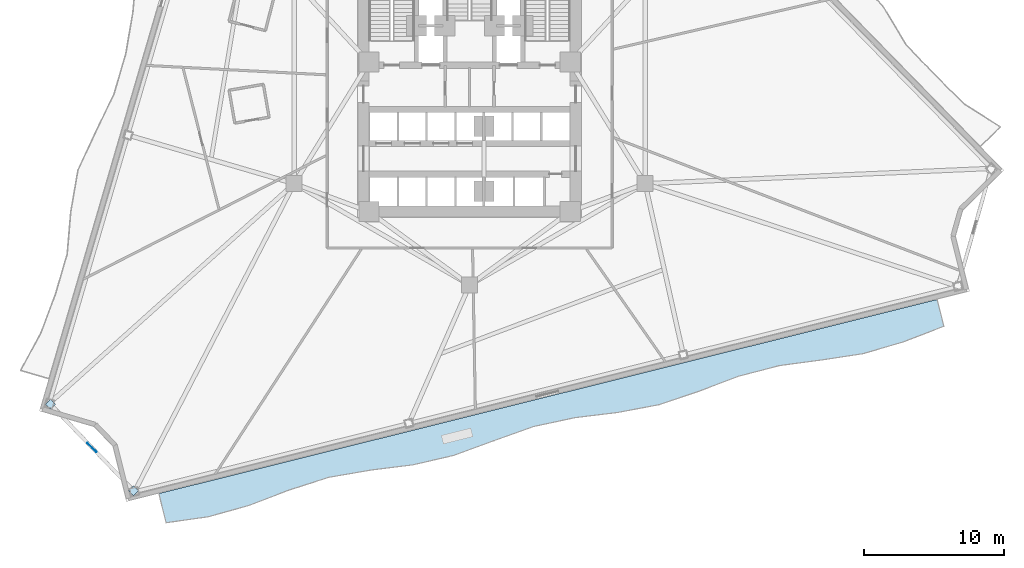
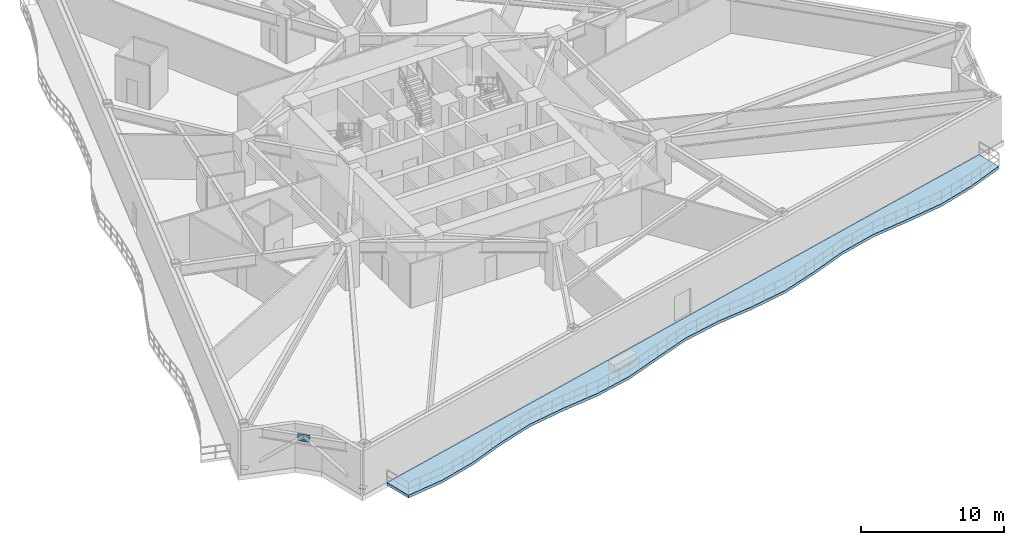
# One storey, part 3 of 13: 3 plates, 1 slab.
"""IFC4 building model written with IfcOpenShell, lengths in metres."""

import ifcopenshell
import ifcopenshell.guid

model = None  # the IFC model being written
_history = None  # IfcOwnerHistory: only IFC2X3 demands one
_inside = {}  # id of a spatial element -> (the spatial element, [elements in it])
_under = {}  # id of a project, library or spatial element -> (it, [spatial elements below it])
_declared = {}  # id of a project -> (the project, [libraries it declares])
_typed = {}  # id of a type object -> (the type object, [elements of that type])
_made_of = {}  # id of a material, layer set ... -> (it, [elements and type objects made of it])


def new_model(schema):
    """Start an empty IFC model of exactly this schema.

    Asked for "IFC4X3", IfcOpenShell would pick the latest addendum, in which some entities
    have other attributes; the version numbers below select the first issue.
    IFC2X3 requires an IfcOwnerHistory on every rooted entity: one is made here for all.
    """
    global model, _history
    if schema == "IFC4X3":
        model = ifcopenshell.file(schema_version=(4, 3, 0, 0))
    else:
        model = ifcopenshell.file(schema=schema)
    _inside.clear()
    _under.clear()
    _declared.clear()
    _typed.clear()
    _made_of.clear()
    _history = None
    if model.schema == "IFC2X3":
        org = make("IfcOrganization", Name="unknown")
        user = make(
            "IfcPersonAndOrganization",
            ThePerson=make("IfcPerson", FamilyName="unknown"),
            TheOrganization=org,
        )
        app = make(
            "IfcApplication",
            ApplicationDeveloper=org,
            Version="unknown",
            ApplicationFullName="unknown",
            ApplicationIdentifier="unknown",
        )
        _history = make(
            "IfcOwnerHistory",
            OwningUser=user,
            OwningApplication=app,
            ChangeAction="ADDED",
            CreationDate=0,
        )
    return model


def make(cls, **values):
    """One entity of the class cls with the attributes given. An attribute that is None is left unset."""
    return model.create_entity(
        cls, **{name: value for name, value in values.items() if value is not None}
    )


def rooted(cls, **values):
    """An entity with a GlobalId (a new one), such as an element, a storey or a relation."""
    return make(cls, GlobalId=ifcopenshell.guid.new(), OwnerHistory=_history, **values)


def si_unit(unit_type, name, prefix=None):
    """IfcSIUnit, for example si_unit("LENGTHUNIT", "METRE", prefix="MILLI")."""
    return make("IfcSIUnit", UnitType=unit_type, Prefix=prefix, Name=name)


def assignment(units):
    """IfcUnitAssignment: the units of a project."""
    return None if units is None else make("IfcUnitAssignment", Units=units)


def point(xyz):
    """IfcCartesianPoint."""
    return None if xyz is None else make("IfcCartesianPoint", Coordinates=xyz)


def direction(xyz):
    """IfcDirection."""
    return None if xyz is None else make("IfcDirection", DirectionRatios=xyz)


def frame(location, z_axis=None, x_axis=None):
    """IfcAxis2Placement3D, a coordinate frame: its origin and axes. An axis left out is left unset."""
    return make(
        "IfcAxis2Placement3D",
        Location=point(location),
        Axis=direction(z_axis),
        RefDirection=direction(x_axis),
    )


def frame_2d(location, x_axis=None):
    """IfcAxis2Placement2D, a coordinate frame in the plane: its origin and x axis."""
    return make(
        "IfcAxis2Placement2D", Location=point(location), RefDirection=direction(x_axis)
    )


def origin():
    """The frame at (0, 0, 0) with its axes left unset."""
    return frame((0.0, 0.0, 0.0))


def origin_2d():
    """The frame at (0, 0) in the plane with its x axis left unset."""
    return frame_2d((0.0, 0.0))


def place(relative_to, where):
    """IfcLocalPlacement: puts the frame where relative to a parent placement (None: the world)."""
    return make(
        "IfcLocalPlacement", PlacementRelTo=relative_to, RelativePlacement=where
    )


def context(
    kind, dimensions, precision=None, world=None, true_north=None, identifier=None
):
    """IfcGeometricRepresentationContext, for example the 3D "Model" context."""
    return make(
        "IfcGeometricRepresentationContext",
        ContextIdentifier=identifier,
        ContextType=kind,
        CoordinateSpaceDimension=dimensions,
        Precision=precision,
        WorldCoordinateSystem=world,
        TrueNorth=true_north,
    )


def subcontext(parent, identifier, kind, view, scale=None):
    """IfcGeometricRepresentationSubContext, for example "Body" below "Model"."""
    return make(
        "IfcGeometricRepresentationSubContext",
        ContextIdentifier=identifier,
        ContextType=kind,
        ParentContext=parent,
        TargetScale=scale,
        TargetView=view,
    )


def project(units=None, contexts=None):
    """IfcProject with its units and contexts."""
    return rooted(
        "IfcProject",
        Name="project",
        RepresentationContexts=contexts,
        UnitsInContext=assignment(units),
    )


def spatial(cls, under=None, at=None, **own):
    """A site, building, storey or space (cls), placed at a placement, below another one or the project."""
    s = rooted(cls, ObjectPlacement=at, **own)
    if under is not None:
        _under.setdefault(under.id(), (under, []))[1].append(s)
    return s


def polyline(points):
    """IfcPolyline through the points."""
    return make("IfcPolyline", Points=[point(p) for p in points])


def profile(cls, at=None, kind="AREA", **sizes):
    """A parametric profile (cls). Its sizes go by their IFC names, for example OverallWidth=200.0."""
    return make(cls, ProfileType=kind, Position=at, **sizes)


def rectangle(**sizes):
    """IfcRectangleProfileDef."""
    return profile("IfcRectangleProfileDef", **sizes)


def outline(outer, holes=None, kind="AREA"):
    """IfcArbitraryClosedProfileDef: a profile drawn as a closed curve; with holes, ...WithVoids."""
    if holes is None:
        return make("IfcArbitraryClosedProfileDef", ProfileType=kind, OuterCurve=outer)
    return make(
        "IfcArbitraryProfileDefWithVoids",
        ProfileType=kind,
        OuterCurve=outer,
        InnerCurves=holes,
    )


def extrude(swept, where, along, depth):
    """IfcExtrudedAreaSolid: the profile swept, set in the frame where, extruded along a direction by depth."""
    return make(
        "IfcExtrudedAreaSolid",
        SweptArea=swept,
        Position=where,
        ExtrudedDirection=direction(along),
        Depth=depth,
    )


def shape(context_of_items, identifier, shape_type, items):
    """IfcShapeRepresentation: the items that make up one representation, for example the "Body"."""
    return make(
        "IfcShapeRepresentation",
        ContextOfItems=context_of_items,
        RepresentationIdentifier=identifier,
        RepresentationType=shape_type,
        Items=items,
    )


def material(Name=None, Category=None):
    """IfcMaterial."""
    return make("IfcMaterial", Name=Name, Category=Category)


def layer(
    of_material, thickness, ventilated=None, Name=None, Category=None, Priority=None
):
    """IfcMaterialLayer: one layer of a wall or slab, of a material (None: an air gap)."""
    return make(
        "IfcMaterialLayer",
        Material=of_material,
        LayerThickness=thickness,
        IsVentilated=ventilated,
        Name=Name,
        Category=Category,
        Priority=Priority,
    )


def layer_set(layers, Name=None):
    """IfcMaterialLayerSet."""
    return make("IfcMaterialLayerSet", MaterialLayers=layers, LayerSetName=Name)


def made_of(thing, what):
    """Note that an element or type object is made of a material, layer set ...; save() writes the relation."""
    if what is not None:
        _made_of.setdefault(what.id(), (what, []))[1].append(thing)
    return thing


def type_object(cls, material=None, **own):
    """A type object (cls), such as IfcWallType, which elements share."""
    return made_of(rooted(cls, **own), material)


def element(
    cls,
    number,
    at=None,
    inside=None,
    cuts=None,
    type_object=None,
    material=None,
    context=None,
    identifier="Body",
    shape_type=None,
    held_by="IfcProductDefinitionShape",
    body=None,
    shapes=None,
    **own,
):
    """One element of the class cls, such as IfcWall. Its Tag is "e" and its number.

    at: its placement. inside: the storey or other place that contains it. cuts: it is an
    opening in that element (IfcRelVoidsElement). A single representation is given by context,
    identifier, shape_type and body (its items); several are given by shapes. held_by: the class
    of the entity that holds the representations. save() writes the other relations.
    """
    e = rooted(cls, Tag="e%d" % number, ObjectPlacement=at, **own)
    if body is not None:
        shapes = [shape(context, identifier, shape_type, body)]
    if shapes is not None:
        e.Representation = make(held_by, Representations=shapes)
    if inside is not None:
        _inside.setdefault(inside.id(), (inside, []))[1].append(e)
    if cuts is not None:
        rooted(
            "IfcRelVoidsElement", RelatingBuildingElement=cuts, RelatedOpeningElement=e
        )
    if type_object is not None:
        _typed.setdefault(type_object.id(), (type_object, []))[1].append(e)
    return made_of(e, material)


def aggregate(whole, parts):
    """IfcRelAggregates: a whole, such as a stair, and the parts it consists of."""
    return rooted("IfcRelAggregates", RelatingObject=whole, RelatedObjects=parts)


def save(model, path):
    """Write the relations noted so far, then the file.

    IfcRelAggregates (storeys below a building ...), IfcRelContainedInSpatialStructure (elements
    in a storey), IfcRelDefinesByType, IfcRelAssociatesMaterial and IfcRelDeclares: one each for
    every whole, place, type object, material and project.
    """
    for whole, parts in _under.values():
        aggregate(whole, parts)
    for where, things in _inside.values():
        rooted(
            "IfcRelContainedInSpatialStructure",
            RelatedElements=things,
            RelatingStructure=where,
        )
    for kind, things in _typed.values():
        rooted("IfcRelDefinesByType", RelatedObjects=things, RelatingType=kind)
    for what, things in _made_of.values():
        rooted("IfcRelAssociatesMaterial", RelatedObjects=things, RelatingMaterial=what)
    for by, libraries in _declared.values():
        rooted("IfcRelDeclares", RelatingContext=by, RelatedDefinitions=libraries)
    model.write(path)


model = new_model("IFC4")

# Units and contexts
model_context = context("Model", 3, precision=1e-05, world=origin(), true_north=direction((0.0, 1.0)))
body_context = subcontext(model_context, "Body", "Model", "MODEL_VIEW")
ifc_project = project(units=[si_unit("LENGTHUNIT", "METRE"), si_unit("AREAUNIT", "SQUARE_METRE"), si_unit("VOLUMEUNIT", "CUBIC_METRE"), si_unit("PLANEANGLEUNIT", "RADIAN"), si_unit("MASSUNIT", "GRAM", prefix="KILO")], contexts=[model_context])

# Site, building, storey
site_placement = place(None, origin())
site = spatial("IfcSite", under=ifc_project, at=site_placement, CompositionType="ELEMENT")
building_placement = place(site_placement, origin())
building = spatial("IfcBuilding", under=site, at=building_placement, Name="Apsidion Concourse Tower", CompositionType="ELEMENT")
storey_placement = place(building_placement, frame((0.0, 0.0, 95.0)))
storey = spatial("IfcBuildingStorey", under=building, at=storey_placement, Name="L21", CompositionType="ELEMENT", Elevation=95.0)

# Plates
ifc_material_1 = material(Name="Structural steel ASTM A572 Grade 50", Category="steel")
ifc_layer_1 = layer(ifc_material_1, 0.034912109375)
ifc_layer_set_1 = layer_set([ifc_layer_1], Name="Structural steel ASTM A572 Grade 50")
plate_type_1 = type_object("IfcPlateType", Name="PL-ENDCAP-35", PredefinedType="USERDEFINED", material=ifc_layer_set_1)
for number, where, z_axis, x_axis, name in (
    (1, (-30.005615234375, -23.039306640625, 0.1025390625), (0.0, 0.0, 1.0), (-0.692646888854, 0.721276845158, 0.0), "L21 Chevron Base End Plate KNB-1-1"),
    (2, (-24.060302734375, -29.229736328125, 0.1025390625), (0.0, 0.0, 1.0), (-0.692646888854, 0.721276845158, 0.0), "L21 Chevron Base End Plate KNB-1-2"),
):
    element("IfcPlate", number, at=place(storey_placement, frame(where, z_axis=z_axis, x_axis=x_axis)), inside=storey, type_object=plate_type_1, Name=name, ObjectType="FLANGE_PLATE", PredefinedType="USERDEFINED", context=body_context, shape_type="SweptSolid", body=[
        extrude(rectangle(XDim=0.5, YDim=0.5, at=origin_2d()), origin(), (0.0, 0.0, 1.0), 0.034912109375),
    ])
ifc_layer_2 = layer(ifc_material_1, 0.0400390625)
ifc_layer_set_2 = layer_set([ifc_layer_2], Name="Structural steel ASTM A572 Grade 50")
plate_type_2 = type_object("IfcPlateType", Name="PL-GUSSET-40", PredefinedType="SHEET", material=ifc_layer_set_2)
plate_placement = place(storey_placement, frame((-27.032958984375, -26.134521484375, 3.169921875), z_axis=(0.0, 0.0, 1.0), x_axis=(-0.692646888854, 0.721276845158, 0.0)))
element("IfcPlate", 3, at=plate_placement, inside=storey, type_object=plate_type_2, Name="L21 Chevron Apex Node Gusset Plate KNA-1", PredefinedType="SHEET", context=body_context, shape_type="SweptSolid", body=[
    extrude(rectangle(XDim=0.89990234375, YDim=0.0400390625, at=origin_2d()), origin(), (0.0, 0.0, 1.0), 0.60009765625),
])

# Slab
ifc_material_2 = material(Name="Concrete C50/60", Category="concrete")
ifc_layer_3 = layer(ifc_material_2, 0.239990234375)
ifc_layer_set_3 = layer_set([ifc_layer_3], Name="Concrete C50/60")
slab_type = type_object("IfcSlabType", Name="SL-TERR-240", PredefinedType="ROOF", material=ifc_layer_set_3)
slab_placement = place(storey_placement, frame((0.0, 0.0, -0.239990234375)))
element("IfcSlab", 4, at=slab_placement, inside=storey, type_object=slab_type, Name="L21 Face 2 Spiral Sky-Terrace Slab", PredefinedType="ROOF", context=body_context, shape_type="SweptSolid", body=[
    extrude(outline(polyline([(-22.24560546875, -29.43359375), (-19.313720703125, -28.702392578125), (-16.3818359375, -27.971435546875), (-13.449951171875, -27.240478515625), (-10.51806640625, -26.509521484375), (-7.586181640625, -25.778564453125), (-4.654296875, -25.047607421875), (-1.722412109375, -24.31640625), (1.209228515625, -23.58544921875), (4.14111328125, -22.8544921875), (7.072998046875, -22.12353515625), (10.0048828125, -21.392578125), (12.936767578125, -20.66162109375), (15.86865234375, -19.9306640625), (18.800537109375, -19.19970703125), (21.732421875, -18.468505859375), (24.664306640625, -17.737548828125), (27.59619140625, -17.006591796875), (30.528076171875, -16.275634765625), (33.4599609375, -15.544677734375), (33.93701171875, -17.458251953125), (31.096435546875, -18.5556640625), (28.195556640625, -19.41064453125), (25.195556640625, -19.8681640625), (22.181640625, -20.27001953125), (19.25634765625, -21.02783203125), (16.41162109375, -22.108154296875), (13.538330078125, -23.073974609375), (10.563232421875, -23.6318359375), (7.54052734375, -23.998291015625), (4.58349609375, -24.62890625), (1.723876953125, -25.6494140625), (-1.12890625, -26.69775390625), (-4.073486328125, -27.377197265625), (-7.09423828125, -27.752197265625), (-10.07958984375, -28.267822265625), (-12.963134765625, -29.193603515625), (-15.804931640625, -30.28564453125), (-18.7177734375, -31.0927734375), (-21.7255859375, -31.51953125), (-22.24560546875, -29.43359375)])), origin(), (0.0, 0.0, 1.0), 0.239990234375),
])

save(model, "model.ifc")
